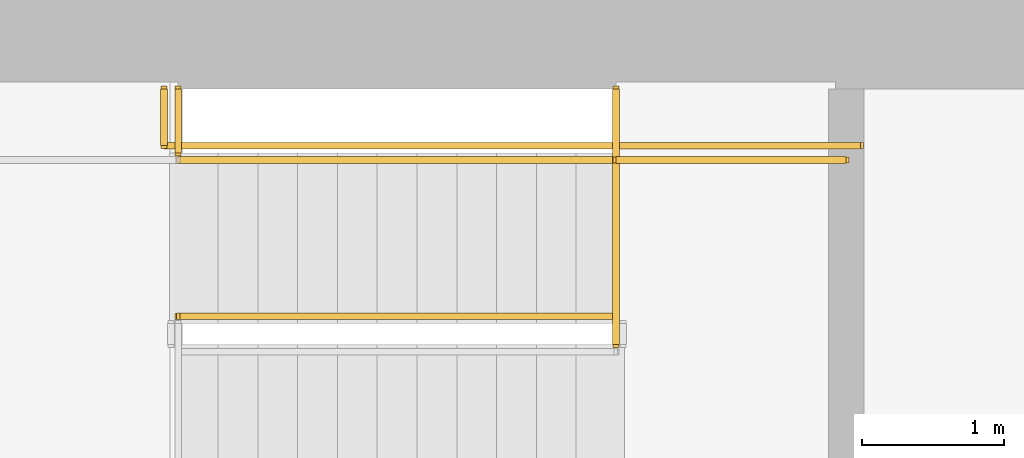
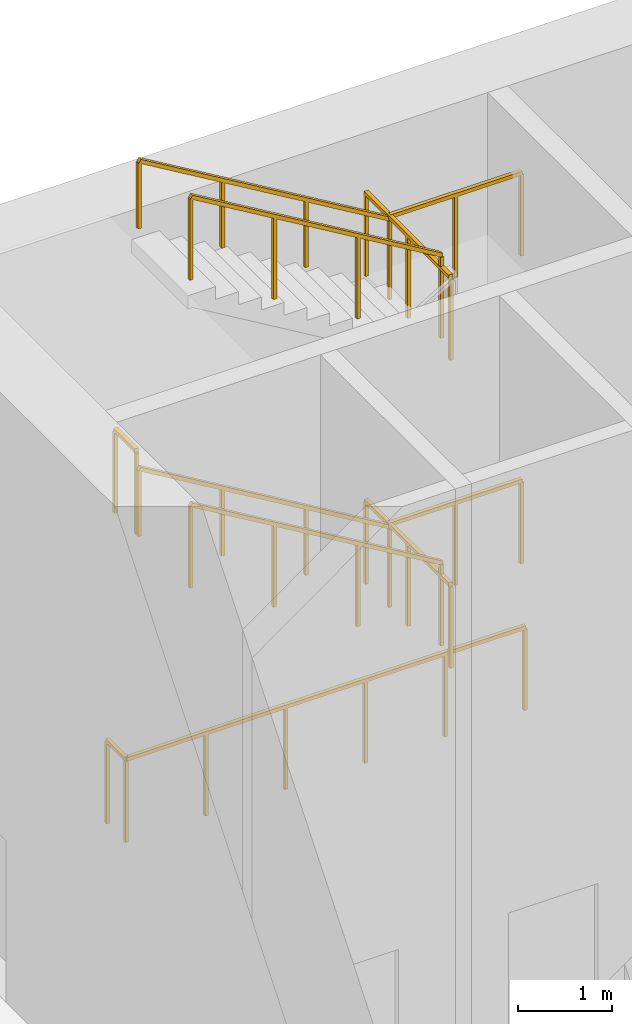
# One storey, part 9 of 11: 11 railings.
"""IFC4 building model written with IfcOpenShell, lengths in metres."""

import ifcopenshell
import ifcopenshell.guid

model = None  # the IFC model being written
_history = None  # IfcOwnerHistory: only IFC2X3 demands one
_inside = {}  # id of a spatial element -> (the spatial element, [elements in it])
_under = {}  # id of a project, library or spatial element -> (it, [spatial elements below it])
_declared = {}  # id of a project -> (the project, [libraries it declares])
_typed = {}  # id of a type object -> (the type object, [elements of that type])
_made_of = {}  # id of a material, layer set ... -> (it, [elements and type objects made of it])


def new_model(schema):
    """Start an empty IFC model of exactly this schema.

    Asked for "IFC4X3", IfcOpenShell would pick the latest addendum, in which some entities
    have other attributes; the version numbers below select the first issue.
    IFC2X3 requires an IfcOwnerHistory on every rooted entity: one is made here for all.
    """
    global model, _history
    if schema == "IFC4X3":
        model = ifcopenshell.file(schema_version=(4, 3, 0, 0))
    else:
        model = ifcopenshell.file(schema=schema)
    _inside.clear()
    _under.clear()
    _declared.clear()
    _typed.clear()
    _made_of.clear()
    _history = None
    if model.schema == "IFC2X3":
        org = make("IfcOrganization", Name="unknown")
        user = make(
            "IfcPersonAndOrganization",
            ThePerson=make("IfcPerson", FamilyName="unknown"),
            TheOrganization=org,
        )
        app = make(
            "IfcApplication",
            ApplicationDeveloper=org,
            Version="unknown",
            ApplicationFullName="unknown",
            ApplicationIdentifier="unknown",
        )
        _history = make(
            "IfcOwnerHistory",
            OwningUser=user,
            OwningApplication=app,
            ChangeAction="ADDED",
            CreationDate=0,
        )
    return model


def make(cls, **values):
    """One entity of the class cls with the attributes given. An attribute that is None is left unset."""
    return model.create_entity(
        cls, **{name: value for name, value in values.items() if value is not None}
    )


def rooted(cls, **values):
    """An entity with a GlobalId (a new one), such as an element, a storey or a relation."""
    return make(cls, GlobalId=ifcopenshell.guid.new(), OwnerHistory=_history, **values)


def si_unit(unit_type, name, prefix=None):
    """IfcSIUnit, for example si_unit("LENGTHUNIT", "METRE", prefix="MILLI")."""
    return make("IfcSIUnit", UnitType=unit_type, Prefix=prefix, Name=name)


def assignment(units):
    """IfcUnitAssignment: the units of a project."""
    return None if units is None else make("IfcUnitAssignment", Units=units)


def point(xyz):
    """IfcCartesianPoint."""
    return None if xyz is None else make("IfcCartesianPoint", Coordinates=xyz)


def direction(xyz):
    """IfcDirection."""
    return None if xyz is None else make("IfcDirection", DirectionRatios=xyz)


def frame(location, z_axis=None, x_axis=None):
    """IfcAxis2Placement3D, a coordinate frame: its origin and axes. An axis left out is left unset."""
    return make(
        "IfcAxis2Placement3D",
        Location=point(location),
        Axis=direction(z_axis),
        RefDirection=direction(x_axis),
    )


def frame_2d(location, x_axis=None):
    """IfcAxis2Placement2D, a coordinate frame in the plane: its origin and x axis."""
    return make(
        "IfcAxis2Placement2D", Location=point(location), RefDirection=direction(x_axis)
    )


def origin():
    """The frame at (0, 0, 0) with its axes left unset."""
    return frame((0.0, 0.0, 0.0))


def origin_2d():
    """The frame at (0, 0) in the plane with its x axis left unset."""
    return frame_2d((0.0, 0.0))


def place(relative_to, where):
    """IfcLocalPlacement: puts the frame where relative to a parent placement (None: the world)."""
    return make(
        "IfcLocalPlacement", PlacementRelTo=relative_to, RelativePlacement=where
    )


def context(
    kind, dimensions, precision=None, world=None, true_north=None, identifier=None
):
    """IfcGeometricRepresentationContext, for example the 3D "Model" context."""
    return make(
        "IfcGeometricRepresentationContext",
        ContextIdentifier=identifier,
        ContextType=kind,
        CoordinateSpaceDimension=dimensions,
        Precision=precision,
        WorldCoordinateSystem=world,
        TrueNorth=true_north,
    )


def subcontext(parent, identifier, kind, view, scale=None):
    """IfcGeometricRepresentationSubContext, for example "Body" below "Model"."""
    return make(
        "IfcGeometricRepresentationSubContext",
        ContextIdentifier=identifier,
        ContextType=kind,
        ParentContext=parent,
        TargetScale=scale,
        TargetView=view,
    )


def project(units=None, contexts=None):
    """IfcProject with its units and contexts."""
    return rooted(
        "IfcProject",
        Name="project",
        RepresentationContexts=contexts,
        UnitsInContext=assignment(units),
    )


def spatial(cls, under=None, at=None, **own):
    """A site, building, storey or space (cls), placed at a placement, below another one or the project."""
    s = rooted(cls, ObjectPlacement=at, **own)
    if under is not None:
        _under.setdefault(under.id(), (under, []))[1].append(s)
    return s


def profile(cls, at=None, kind="AREA", **sizes):
    """A parametric profile (cls). Its sizes go by their IFC names, for example OverallWidth=200.0."""
    return make(cls, ProfileType=kind, Position=at, **sizes)


def rectangle(**sizes):
    """IfcRectangleProfileDef."""
    return profile("IfcRectangleProfileDef", **sizes)


def extrude(swept, where, along, depth):
    """IfcExtrudedAreaSolid: the profile swept, set in the frame where, extruded along a direction by depth."""
    return make(
        "IfcExtrudedAreaSolid",
        SweptArea=swept,
        Position=where,
        ExtrudedDirection=direction(along),
        Depth=depth,
    )


def shape(context_of_items, identifier, shape_type, items):
    """IfcShapeRepresentation: the items that make up one representation, for example the "Body"."""
    return make(
        "IfcShapeRepresentation",
        ContextOfItems=context_of_items,
        RepresentationIdentifier=identifier,
        RepresentationType=shape_type,
        Items=items,
    )


def material(Name=None, Category=None):
    """IfcMaterial."""
    return make("IfcMaterial", Name=Name, Category=Category)


def made_of(thing, what):
    """Note that an element or type object is made of a material, layer set ...; save() writes the relation."""
    if what is not None:
        _made_of.setdefault(what.id(), (what, []))[1].append(thing)
    return thing


def type_object(cls, material=None, **own):
    """A type object (cls), such as IfcWallType, which elements share."""
    return made_of(rooted(cls, **own), material)


def element(
    cls,
    number,
    at=None,
    inside=None,
    cuts=None,
    type_object=None,
    material=None,
    context=None,
    identifier="Body",
    shape_type=None,
    held_by="IfcProductDefinitionShape",
    body=None,
    shapes=None,
    **own,
):
    """One element of the class cls, such as IfcWall. Its Tag is "e" and its number.

    at: its placement. inside: the storey or other place that contains it. cuts: it is an
    opening in that element (IfcRelVoidsElement). A single representation is given by context,
    identifier, shape_type and body (its items); several are given by shapes. held_by: the class
    of the entity that holds the representations. save() writes the other relations.
    """
    e = rooted(cls, Tag="e%d" % number, ObjectPlacement=at, **own)
    if body is not None:
        shapes = [shape(context, identifier, shape_type, body)]
    if shapes is not None:
        e.Representation = make(held_by, Representations=shapes)
    if inside is not None:
        _inside.setdefault(inside.id(), (inside, []))[1].append(e)
    if cuts is not None:
        rooted(
            "IfcRelVoidsElement", RelatingBuildingElement=cuts, RelatedOpeningElement=e
        )
    if type_object is not None:
        _typed.setdefault(type_object.id(), (type_object, []))[1].append(e)
    return made_of(e, material)


def aggregate(whole, parts):
    """IfcRelAggregates: a whole, such as a stair, and the parts it consists of."""
    return rooted("IfcRelAggregates", RelatingObject=whole, RelatedObjects=parts)


def save(model, path):
    """Write the relations noted so far, then the file.

    IfcRelAggregates (storeys below a building ...), IfcRelContainedInSpatialStructure (elements
    in a storey), IfcRelDefinesByType, IfcRelAssociatesMaterial and IfcRelDeclares: one each for
    every whole, place, type object, material and project.
    """
    for whole, parts in _under.values():
        aggregate(whole, parts)
    for where, things in _inside.values():
        rooted(
            "IfcRelContainedInSpatialStructure",
            RelatedElements=things,
            RelatingStructure=where,
        )
    for kind, things in _typed.values():
        rooted("IfcRelDefinesByType", RelatedObjects=things, RelatingType=kind)
    for what, things in _made_of.values():
        rooted("IfcRelAssociatesMaterial", RelatedObjects=things, RelatingMaterial=what)
    for by, libraries in _declared.values():
        rooted("IfcRelDeclares", RelatingContext=by, RelatedDefinitions=libraries)
    model.write(path)


model = new_model("IFC4")

# Units and contexts
model_context = context("Model", 3, precision=1e-05, world=origin(), true_north=direction((0.0, 1.0)))
body_context = subcontext(model_context, "Body", "Model", "MODEL_VIEW")
ifc_project = project(units=[si_unit("LENGTHUNIT", "METRE"), si_unit("AREAUNIT", "SQUARE_METRE"), si_unit("VOLUMEUNIT", "CUBIC_METRE"), si_unit("PLANEANGLEUNIT", "RADIAN"), si_unit("MASSUNIT", "GRAM", prefix="KILO")], contexts=[model_context])

# Site, building, storey
site_placement = place(None, origin())
site = spatial("IfcSite", under=ifc_project, at=site_placement, CompositionType="ELEMENT")
building_placement = place(site_placement, origin())
building = spatial("IfcBuilding", under=site, at=building_placement, Name="Sennacour Bend Tower", CompositionType="ELEMENT")
storey_placement = place(building_placement, frame((0.0, 0.0, 297.0)))
storey = spatial("IfcBuildingStorey", under=building, at=storey_placement, Name="L69", CompositionType="ELEMENT", Elevation=297.0)

# Railings
ifc_material = material(Name="Stainless steel", Category="steel")
railing_type_1 = type_object("IfcRailingType", Name="RL-GUARD-1100", PredefinedType="GUARDRAIL", material=ifc_material)
railing_1_placement = place(storey_placement, frame((59.780029296875, 21.199951171875, 2.0)))
element("IfcRailing", 1, at=railing_1_placement, inside=storey, type_object=railing_type_1, Name="L69 SA2 stair guard 3", PredefinedType="GUARDRAIL", context=body_context, shape_type="SweptSolid", body=[
    extrude(rectangle(XDim=0.048095703125, YDim=0.048095703125, at=origin_2d()), frame((0.0, 0.0, 1.076171875), z_axis=(1.0, 0.0, 0.0), x_axis=(0.0, 1.0, 0.0)), (0.0, 0.0, 1.0), 1.619873046875),
    extrude(rectangle(XDim=0.0419921875, YDim=0.0419921875, at=origin_2d()), origin(), (0.0, 0.0, 1.0), 1.052001953125),
    extrude(rectangle(XDim=0.0419921875, YDim=0.0419921875, at=origin_2d()), frame((0.81005859375, 0.0, 0.0)), (0.0, 0.0, 1.0), 1.052001953125),
    extrude(rectangle(XDim=0.0419921875, YDim=0.0419921875, at=origin_2d()), frame((1.619873046875, 0.0, 0.0)), (0.0, 0.0, 1.0), 1.052001953125),
])
railing_2_placement = place(storey_placement, frame((59.780029296875, 20.10009765625, 2.166748046875)))
element("IfcRailing", 2, at=railing_2_placement, inside=storey, type_object=railing_type_1, Name="L69 SA2 stair guard 4", PredefinedType="GUARDRAIL", context=body_context, shape_type="SweptSolid", body=[
    extrude(rectangle(XDim=0.048095703125, YDim=0.048095703125, at=origin_2d()), frame((0.0, 0.0, 1.076171875), z_axis=(-0.859308565015, 0.0, 0.511457515432), x_axis=(0.0, -1.0, 0.0)), (0.0, 0.0, 1.0), 3.58447265625),
    extrude(rectangle(XDim=0.0419921875, YDim=0.0419921875, at=origin_2d()), origin(), (0.0, 0.0, 1.0), 1.052001953125),
    extrude(rectangle(XDim=0.0419921875, YDim=0.0419921875, at=origin_2d()), frame((-1.026611328125, 0.0, 0.611083984375)), (0.0, 0.0, 1.0), 1.052001953125),
    extrude(rectangle(XDim=0.0419921875, YDim=0.0419921875, at=origin_2d()), frame((-2.053466796875, 0.0, 1.22216796875)), (0.0, 0.0, 1.0), 1.052001953125),
    extrude(rectangle(XDim=0.0419921875, YDim=0.0419921875, at=origin_2d()), frame((-3.080078125, 0.0, 1.833251953125)), (0.0, 0.0, 1.0), 1.052001953125),
])
railing_3_placement = place(storey_placement, frame((59.780029296875, 21.199951171875, 6.0)))
element("IfcRailing", 3, at=railing_3_placement, inside=storey, type_object=railing_type_1, Name="L69 SA2 stair guard 10", PredefinedType="GUARDRAIL", context=body_context, shape_type="SweptSolid", body=[
    extrude(rectangle(XDim=0.048095703125, YDim=0.048095703125, at=origin_2d()), frame((0.0, 0.0, 1.076171875), z_axis=(1.0, 0.0, 0.0), x_axis=(0.0, 1.0, 0.0)), (0.0, 0.0, 1.0), 1.619873046875),
    extrude(rectangle(XDim=0.0419921875, YDim=0.0419921875, at=origin_2d()), origin(), (0.0, 0.0, 1.0), 1.052001953125),
    extrude(rectangle(XDim=0.0419921875, YDim=0.0419921875, at=origin_2d()), frame((0.81005859375, 0.0, 0.0)), (0.0, 0.0, 1.0), 1.052001953125),
    extrude(rectangle(XDim=0.0419921875, YDim=0.0419921875, at=origin_2d()), frame((1.619873046875, 0.0, 0.0)), (0.0, 0.0, 1.0), 1.052001953125),
])
railing_4_placement = place(storey_placement, frame((59.780029296875, 20.10009765625, 6.166748046875)))
element("IfcRailing", 4, at=railing_4_placement, inside=storey, type_object=railing_type_1, Name="L69 SA2 stair guard 11", PredefinedType="GUARDRAIL", context=body_context, shape_type="SweptSolid", body=[
    extrude(rectangle(XDim=0.048095703125, YDim=0.048095703125, at=origin_2d()), frame((0.0, 0.0, 1.076171875), z_axis=(-0.859308565015, 0.0, 0.511457515432), x_axis=(0.0, -1.0, 0.0)), (0.0, 0.0, 1.0), 3.58447265625),
    extrude(rectangle(XDim=0.0419921875, YDim=0.0419921875, at=origin_2d()), origin(), (0.0, 0.0, 1.0), 1.052001953125),
    extrude(rectangle(XDim=0.0419921875, YDim=0.0419921875, at=origin_2d()), frame((-1.026611328125, 0.0, 0.611083984375)), (0.0, 0.0, 1.0), 1.052001953125),
    extrude(rectangle(XDim=0.0419921875, YDim=0.0419921875, at=origin_2d()), frame((-2.053466796875, 0.0, 1.22216796875)), (0.0, 0.0, 1.0), 1.052001953125),
    extrude(rectangle(XDim=0.0419921875, YDim=0.0419921875, at=origin_2d()), frame((-3.080078125, 0.0, 1.833251953125)), (0.0, 0.0, 1.0), 1.052001953125),
])
railing_5_placement = place(storey_placement, frame((56.60009765625, 21.300048828125, 0.0)))
element("IfcRailing", 5, at=railing_5_placement, inside=storey, type_object=railing_type_1, Name="L69 SA2 stair guard 15", PredefinedType="GUARDRAIL", context=body_context, shape_type="SweptSolid", body=[
    extrude(rectangle(XDim=0.048095703125, YDim=0.048095703125, at=origin_2d()), frame((0.0, 0.0, 1.076171875), z_axis=(1.0, 0.0, 0.0), x_axis=(0.0, 1.0, 0.0)), (0.0, 0.0, 1.0), 4.89990234375),
    extrude(rectangle(XDim=0.0419921875, YDim=0.0419921875, at=origin_2d()), origin(), (0.0, 0.0, 1.0), 1.052001953125),
    extrude(rectangle(XDim=0.0419921875, YDim=0.0419921875, at=origin_2d()), frame((0.97998046875, 0.0, 0.0)), (0.0, 0.0, 1.0), 1.052001953125),
    extrude(rectangle(XDim=0.0419921875, YDim=0.0419921875, at=origin_2d()), frame((1.9599609375, 0.0, 0.0)), (0.0, 0.0, 1.0), 1.052001953125),
    extrude(rectangle(XDim=0.0419921875, YDim=0.0419921875, at=origin_2d()), frame((2.93994140625, 0.0, 0.0)), (0.0, 0.0, 1.0), 1.052001953125),
    extrude(rectangle(XDim=0.0419921875, YDim=0.0419921875, at=origin_2d()), frame((3.919921875, 0.0, 0.0)), (0.0, 0.0, 1.0), 1.052001953125),
    extrude(rectangle(XDim=0.0419921875, YDim=0.0419921875, at=origin_2d()), frame((4.89990234375, 0.0, 0.0)), (0.0, 0.0, 1.0), 1.052001953125),
])
railing_6_placement = place(storey_placement, frame((59.780029296875, 19.89990234375, 2.0)))
element("IfcRailing", 6, at=railing_6_placement, inside=storey, type_object=railing_type_1, Name="L69 SA2 landing edge guard 89", PredefinedType="GUARDRAIL", context=body_context, shape_type="SweptSolid", body=[
    extrude(rectangle(XDim=0.048095703125, YDim=0.048095703125, at=origin_2d()), frame((0.0, 0.0, 1.076171875), z_axis=(0.0, 1.0, 0.0), x_axis=(-1.0, 0.0, 0.0)), (0.0, 0.0, 1.0), 1.800048828125),
    extrude(rectangle(XDim=0.0419921875, YDim=0.0419921875, at=origin_2d()), origin(), (0.0, 0.0, 1.0), 1.052001953125),
    extrude(rectangle(XDim=0.0419921875, YDim=0.0419921875, at=origin_2d()), frame((0.0, 0.89990234375, 0.0)), (0.0, 0.0, 1.0), 1.052001953125),
    extrude(rectangle(XDim=0.0419921875, YDim=0.0419921875, at=origin_2d()), frame((0.0, 1.800048828125, 0.0)), (0.0, 0.0, 1.0), 1.052001953125),
])
railing_7_placement = place(storey_placement, frame((56.699951171875, 21.699951171875, 4.0)))
element("IfcRailing", 7, at=railing_7_placement, inside=storey, type_object=railing_type_1, Name="L69 SA2 landing edge guard 90", PredefinedType="GUARDRAIL", context=body_context, shape_type="SweptSolid", body=[
    extrude(rectangle(XDim=0.048095703125, YDim=0.048095703125, at=origin_2d()), frame((0.0, 0.0, 1.076171875), z_axis=(0.0, -1.0, 0.0), x_axis=(1.0, 0.0, 0.0)), (0.0, 0.0, 1.0), 0.449951171875),
    extrude(rectangle(XDim=0.0419921875, YDim=0.0419921875, at=origin_2d()), origin(), (0.0, 0.0, 1.0), 1.052001953125),
    extrude(rectangle(XDim=0.0419921875, YDim=0.0419921875, at=origin_2d()), frame((0.0, -0.449951171875, 0.0)), (0.0, 0.0, 1.0), 1.052001953125),
])
railing_8_placement = place(storey_placement, frame((59.780029296875, 19.89990234375, 6.0)))
element("IfcRailing", 8, at=railing_8_placement, inside=storey, type_object=railing_type_1, Name="L69 SA2 landing edge guard 92", PredefinedType="GUARDRAIL", context=body_context, shape_type="SweptSolid", body=[
    extrude(rectangle(XDim=0.048095703125, YDim=0.048095703125, at=origin_2d()), frame((0.0, 0.0, 1.076171875), z_axis=(0.0, 1.0, 0.0), x_axis=(-1.0, 0.0, 0.0)), (0.0, 0.0, 1.0), 1.800048828125),
    extrude(rectangle(XDim=0.0419921875, YDim=0.0419921875, at=origin_2d()), origin(), (0.0, 0.0, 1.0), 1.052001953125),
    extrude(rectangle(XDim=0.0419921875, YDim=0.0419921875, at=origin_2d()), frame((0.0, 0.89990234375, 0.0)), (0.0, 0.0, 1.0), 1.052001953125),
    extrude(rectangle(XDim=0.0419921875, YDim=0.0419921875, at=origin_2d()), frame((0.0, 1.800048828125, 0.0)), (0.0, 0.0, 1.0), 1.052001953125),
])
railing_9_placement = place(storey_placement, frame((56.60009765625, 21.300048828125, 0.0)))
element("IfcRailing", 9, at=railing_9_placement, inside=storey, type_object=railing_type_1, Name="L69 SA2 landing edge guard 123", PredefinedType="GUARDRAIL", context=body_context, shape_type="SweptSolid", body=[
    extrude(rectangle(XDim=0.048095703125, YDim=0.048095703125, at=origin_2d()), frame((0.0, 0.0, 1.076171875), z_axis=(0.0, 1.0, 0.0), x_axis=(-1.0, 0.0, 0.0)), (0.0, 0.0, 1.0), 0.39990234375),
    extrude(rectangle(XDim=0.0419921875, YDim=0.0419921875, at=origin_2d()), origin(), (0.0, 0.0, 1.0), 1.052001953125),
    extrude(rectangle(XDim=0.0419921875, YDim=0.0419921875, at=origin_2d()), frame((0.0, 0.39990234375, 0.0)), (0.0, 0.0, 1.0), 1.052001953125),
])
railing_type_2 = type_object("IfcRailingType", Name="RL-HANDRAIL-900", PredefinedType="HANDRAIL", material=ifc_material)
for number, where, name in (
    (10, (59.780029296875, 21.199951171875, 2.166748046875), "L69 SA2 stair handrail 2"),
    (11, (59.780029296875, 21.199951171875, 6.166748046875), "L69 SA2 stair handrail 4"),
):
    element("IfcRailing", number, at=place(storey_placement, frame(where)), inside=storey, type_object=railing_type_2, Name=name, PredefinedType="HANDRAIL", context=body_context, shape_type="SweptSolid", body=[
        extrude(rectangle(XDim=0.048095703125, YDim=0.048095703125, at=origin_2d()), frame((0.0, 0.0, 0.8759765625), z_axis=(-0.859308565015, 0.0, 0.511457515432), x_axis=(0.0, -1.0, 0.0)), (0.0, 0.0, 1.0), 3.58447265625),
        extrude(rectangle(XDim=0.0419921875, YDim=0.0419921875, at=origin_2d()), origin(), (0.0, 0.0, 1.0), 0.851806640625),
        extrude(rectangle(XDim=0.0419921875, YDim=0.0419921875, at=origin_2d()), frame((-1.026611328125, 0.0, 0.611083984375)), (0.0, 0.0, 1.0), 0.851806640625),
        extrude(rectangle(XDim=0.0419921875, YDim=0.0419921875, at=origin_2d()), frame((-2.053466796875, 0.0, 1.22216796875)), (0.0, 0.0, 1.0), 0.851806640625),
        extrude(rectangle(XDim=0.0419921875, YDim=0.0419921875, at=origin_2d()), frame((-3.080078125, 0.0, 1.833251953125)), (0.0, 0.0, 1.0), 0.851806640625),
    ])

save(model, "model.ifc")
